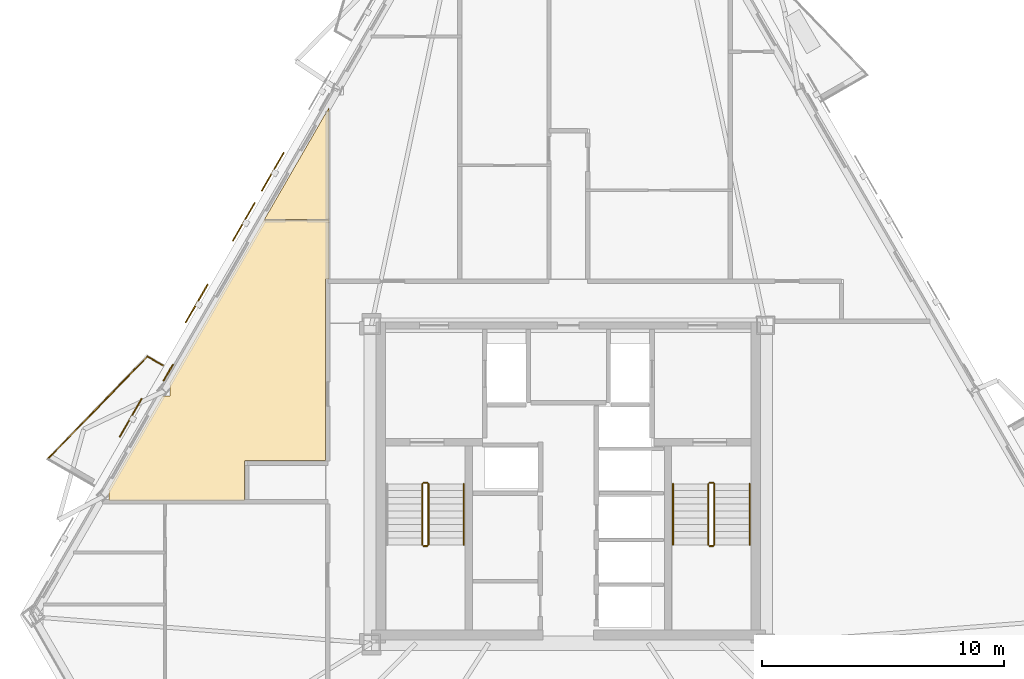
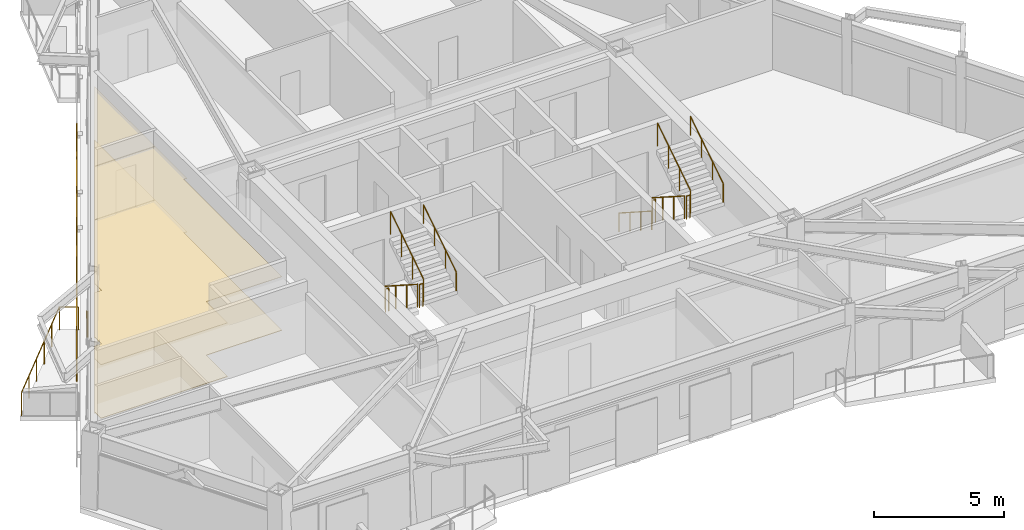
# One storey, part 8 of 9: 13 railings, 5 coverings, 4 shading devices.
"""IFC4 building model written with IfcOpenShell, lengths in metres."""

from ifc_helpers import new_model, si_unit, direction, frame, origin, origin_2d, place, context, subcontext, project, spatial, polyline, rectangle, circle, outline, extrude, material, layer, layer_set, type_object, element, save


model = new_model("IFC4")

# Units and contexts
model_context = context("Model", 3, precision=1e-05, world=origin(), true_north=direction((0.0, 1.0)))
body_context = subcontext(model_context, "Body", "Model", "MODEL_VIEW")
ifc_project = project(units=[si_unit("LENGTHUNIT", "METRE"), si_unit("AREAUNIT", "SQUARE_METRE"), si_unit("VOLUMEUNIT", "CUBIC_METRE"), si_unit("PLANEANGLEUNIT", "RADIAN"), si_unit("MASSUNIT", "GRAM", prefix="KILO")], contexts=[model_context])

# Site, building, storey
site_placement = place(None, origin())
site = spatial("IfcSite", under=ifc_project, at=site_placement, CompositionType="ELEMENT")
building_placement = place(site_placement, origin())
building = spatial("IfcBuilding", under=site, at=building_placement, Name="Oramaril Tower", CompositionType="ELEMENT")
storey_placement = place(building_placement, frame((0.0, 0.0, 174.60009765625)))
storey = spatial("IfcBuildingStorey", under=building, at=storey_placement, Name="L46", CompositionType="ELEMENT", Elevation=174.60009765625)

# Coverings
ifc_material_1 = material(Name="Mineral Fibre Acoustic Ceiling")
ifc_layer_1 = layer(ifc_material_1, 0.02001953125)
ifc_layer_set_1 = layer_set([ifc_layer_1], Name="CVT-CEIL")
covering_type_1 = type_object("IfcCoveringType", Name="CVT-CEIL", PredefinedType="CEILING", material=ifc_layer_set_1)
covering_1_placement = place(storey_placement, frame((0.0, 0.0, 2.511962890625)))
element("IfcCovering", 1, at=covering_1_placement, inside=storey, type_object=covering_type_1, Name="L46 Acoustic Suspended Ceiling 14", PredefinedType="CEILING", context=body_context, shape_type="SweptSolid", body=[
    extrude(outline(polyline([(18.486572265625, 17.34814453125), (18.466064453125, 17.34814453125), (20.700439453125, 21.218017578125), (21.005859375, 21.218017578125), (21.005859375, 21.704345703125), (20.981201171875, 21.704345703125), (24.915283203125, 28.5185546875), (27.592041015625, 28.5185546875), (27.592041015625, 26.070068359375), (27.469970703125, 26.070068359375), (27.468017578125, 26.06982421875), (27.466064453125, 26.069580078125), (27.464111328125, 26.069091796875), (27.46240234375, 26.068603515625), (27.460693359375, 26.067626953125), (27.458984375, 26.066650390625), (27.457275390625, 26.0654296875), (27.455810546875, 26.064208984375), (27.45458984375, 26.062744140625), (27.453369140625, 26.06103515625), (27.452392578125, 26.059326171875), (27.451416015625, 26.0576171875), (27.450927734375, 26.055908203125), (27.450439453125, 26.053955078125), (27.4501953125, 26.052001953125), (27.449951171875, 26.050048828125), (27.449951171875, 24.239990234375), (27.4501953125, 24.238037109375), (27.450439453125, 24.236083984375), (27.450927734375, 24.234130859375), (27.451416015625, 24.232421875), (27.452392578125, 24.230712890625), (27.45263671875, 24.22998046875), (27.452392578125, 24.2294921875), (27.451416015625, 24.227783203125), (27.450927734375, 24.225830078125), (27.450439453125, 24.223876953125), (27.4501953125, 24.221923828125), (27.449951171875, 24.219970703125), (27.449951171875, 18.550048828125), (24.1201171875, 18.550048828125), (24.117919921875, 18.5498046875), (24.1162109375, 18.549560546875), (24.1142578125, 18.549072265625), (24.1123046875, 18.548583984375), (24.110595703125, 18.547607421875), (24.10888671875, 18.546630859375), (24.107421875, 18.54541015625), (24.10595703125, 18.544189453125), (24.1044921875, 18.542724609375), (24.103515625, 18.541015625), (24.102294921875, 18.539306640625), (24.1015625, 18.53759765625), (24.100830078125, 18.535888671875), (24.100341796875, 18.533935546875), (24.10009765625, 18.531982421875), (24.10009765625, 18.530029296875), (24.10009765625, 16.912109375), (20.767578125, 16.912109375), (20.765380859375, 16.911865234375), (20.763671875, 16.91162109375), (20.76171875, 16.9111328125), (20.759765625, 16.910400390625), (20.758056640625, 16.90966796875), (20.757568359375, 16.9091796875), (20.7568359375, 16.90966796875), (20.755126953125, 16.910400390625), (20.75341796875, 16.9111328125), (20.75146484375, 16.91162109375), (20.74951171875, 16.911865234375), (20.74755859375, 16.912109375), (18.486572265625, 16.912109375), (18.486572265625, 17.34814453125)])), origin(), (0.0, 0.0, 1.0), 0.02001953125),
])
covering_2_placement = place(storey_placement, frame((0.0, 0.0, 2.511962890625)))
element("IfcCovering", 2, at=covering_2_placement, inside=storey, type_object=covering_type_1, Name="L46 Acoustic Suspended Ceiling 15", PredefinedType="CEILING", context=body_context, shape_type="SweptSolid", body=[
    extrude(outline(polyline([(27.592041015625, 33.15478515625), (27.592041015625, 28.53857421875), (24.927001953125, 28.53857421875), (27.592041015625, 33.15478515625)])), origin(), (0.0, 0.0, 1.0), 0.02001953125),
])
ifc_material_2 = material(Name="Warm Cream Limestone", Category="masonry")
ifc_layer_2 = layer(ifc_material_2, 0.050048828125)
ifc_layer_set_2 = layer_set([ifc_layer_2], Name="CVT-CLD")
covering_type_2 = type_object("IfcCoveringType", Name="CVT-CLD", PredefinedType="CLADDING", material=ifc_layer_set_2)
covering_3_placement = place(storey_placement, frame((20.943359375, 22.191162109375, 0.0400390625), z_axis=(0.0, 0.0, 1.0), x_axis=(-0.5, -0.866025403784, 0.0)))
element("IfcCovering", 3, at=covering_3_placement, inside=storey, type_object=covering_type_2, Name="L46 Warm Cream Limestone Spandrel Cladding", PredefinedType="CLADDING", context=body_context, shape_type="SweptSolid", body=[
    extrude(rectangle(XDim=0.800048828125, YDim=0.050048828125, at=origin_2d()), origin(), (0.0, 0.0, 1.0), 0.679931640625),
])
ifc_material_3 = material(Name="Honed Quartzite Stone Flooring", Category="masonry")
ifc_layer_3 = layer(ifc_material_3, 0.02490234375)
ifc_layer_set_3 = layer_set([ifc_layer_3], Name="CVT-FLR")
covering_type_3 = type_object("IfcCoveringType", Name="CVT-FLR", PredefinedType="FLOORING", material=ifc_layer_set_3)
covering_4_placement = place(storey_placement, origin())
element("IfcCovering", 4, at=covering_4_placement, inside=storey, type_object=covering_type_3, Name="L46 Honed Stone Floor Finish 14", PredefinedType="FLOORING", context=body_context, shape_type="SweptSolid", body=[
    extrude(outline(polyline([(18.486572265625, 17.34814453125), (18.466064453125, 17.34814453125), (20.700439453125, 21.218017578125), (21.005859375, 21.218017578125), (21.005859375, 21.704345703125), (20.981201171875, 21.704345703125), (24.915283203125, 28.5185546875), (27.592041015625, 28.5185546875), (27.592041015625, 26.070068359375), (27.469970703125, 26.070068359375), (27.468017578125, 26.06982421875), (27.466064453125, 26.069580078125), (27.464111328125, 26.069091796875), (27.46240234375, 26.068603515625), (27.460693359375, 26.067626953125), (27.458984375, 26.066650390625), (27.457275390625, 26.0654296875), (27.455810546875, 26.064208984375), (27.45458984375, 26.062744140625), (27.453369140625, 26.06103515625), (27.452392578125, 26.059326171875), (27.451416015625, 26.0576171875), (27.450927734375, 26.055908203125), (27.450439453125, 26.053955078125), (27.4501953125, 26.052001953125), (27.449951171875, 26.050048828125), (27.449951171875, 24.239990234375), (27.4501953125, 24.238037109375), (27.450439453125, 24.236083984375), (27.450927734375, 24.234130859375), (27.451416015625, 24.232421875), (27.452392578125, 24.230712890625), (27.45263671875, 24.22998046875), (27.452392578125, 24.2294921875), (27.451416015625, 24.227783203125), (27.450927734375, 24.225830078125), (27.450439453125, 24.223876953125), (27.4501953125, 24.221923828125), (27.449951171875, 24.219970703125), (27.449951171875, 18.550048828125), (24.1201171875, 18.550048828125), (24.117919921875, 18.5498046875), (24.1162109375, 18.549560546875), (24.1142578125, 18.549072265625), (24.1123046875, 18.548583984375), (24.110595703125, 18.547607421875), (24.10888671875, 18.546630859375), (24.107421875, 18.54541015625), (24.10595703125, 18.544189453125), (24.1044921875, 18.542724609375), (24.103515625, 18.541015625), (24.102294921875, 18.539306640625), (24.1015625, 18.53759765625), (24.100830078125, 18.535888671875), (24.100341796875, 18.533935546875), (24.10009765625, 18.531982421875), (24.10009765625, 18.530029296875), (24.10009765625, 16.912109375), (20.767578125, 16.912109375), (20.765380859375, 16.911865234375), (20.763671875, 16.91162109375), (20.76171875, 16.9111328125), (20.759765625, 16.910400390625), (20.758056640625, 16.90966796875), (20.757568359375, 16.9091796875), (20.7568359375, 16.90966796875), (20.755126953125, 16.910400390625), (20.75341796875, 16.9111328125), (20.75146484375, 16.91162109375), (20.74951171875, 16.911865234375), (20.74755859375, 16.912109375), (18.486572265625, 16.912109375), (18.486572265625, 17.34814453125)])), origin(), (0.0, 0.0, 1.0), 0.02490234375),
])
covering_5_placement = place(storey_placement, origin())
element("IfcCovering", 5, at=covering_5_placement, inside=storey, type_object=covering_type_3, Name="L46 Honed Stone Floor Finish 15", PredefinedType="FLOORING", context=body_context, shape_type="SweptSolid", body=[
    extrude(outline(polyline([(27.592041015625, 33.15478515625), (27.592041015625, 28.53857421875), (24.927001953125, 28.53857421875), (27.592041015625, 33.15478515625)])), origin(), (0.0, 0.0, 1.0), 0.02490234375),
])

# Railings
ifc_material_4 = material(Name="Stainless Steel 316L", Category="steel")
railing_type_1 = type_object("IfcRailingType", Name="RLT-GRD", PredefinedType="GUARDRAIL", material=ifc_material_4)
railing_1_placement = place(storey_placement, frame((15.961669921875, 18.62646484375, 0.0)))
element("IfcRailing", 6, at=railing_1_placement, inside=storey, type_object=railing_type_1, Name="L46 Balcony Guardrail L46-BAL-NW2.2", PredefinedType="GUARDRAIL", context=body_context, shape_type="SweptSolid", body=[
    extrude(circle(Radius=0.02392578125, at=origin_2d()), frame((0.0, 0.0, 1.076171875), z_axis=(0.697186915353, 0.716889395277, 0.0), x_axis=(-0.716889395277, 0.697186915353, 0.0)), (0.0, 0.0, 1.0), 5.91064453125),
    extrude(circle(Radius=0.02099609375, at=origin_2d()), origin(), (0.0, 0.0, 1.0), 1.052001953125),
    extrude(circle(Radius=0.02099609375, at=origin_2d()), frame((0.82421875, 0.847412109375, 0.0)), (0.0, 0.0, 1.0), 1.052001953125),
    extrude(circle(Radius=0.02099609375, at=origin_2d()), frame((1.6484375, 1.69482421875, 0.0)), (0.0, 0.0, 1.0), 1.052001953125),
    extrude(circle(Radius=0.02099609375, at=origin_2d()), frame((2.472412109375, 2.54248046875, 0.0)), (0.0, 0.0, 1.0), 1.052001953125),
    extrude(circle(Radius=0.02099609375, at=origin_2d()), frame((3.296630859375, 3.389892578125, 0.0)), (0.0, 0.0, 1.0), 1.052001953125),
    extrude(circle(Radius=0.02099609375, at=origin_2d()), frame((4.120849609375, 4.2373046875, 0.0)), (0.0, 0.0, 1.0), 1.052001953125),
])
railing_2_placement = place(storey_placement, frame((20.08251953125, 22.86376953125, 0.0)))
element("IfcRailing", 7, at=railing_2_placement, inside=storey, type_object=railing_type_1, Name="L46 Balcony Guardrail L46-BAL-NW2.3", PredefinedType="GUARDRAIL", context=body_context, shape_type="SweptSolid", body=[
    extrude(circle(Radius=0.02392578125, at=origin_2d()), frame((0.0, 0.0, 1.076171875), z_axis=(0.865884080729, -0.500244698863, 0.0), x_axis=(0.500244698863, 0.865884080729, 0.0)), (0.0, 0.0, 1.0), 0.741943359375),
    extrude(circle(Radius=0.02099609375, at=origin_2d()), origin(), (0.0, 0.0, 1.0), 1.052001953125),
    extrude(circle(Radius=0.02099609375, at=origin_2d()), frame((0.642333984375, -0.37109375, 0.0)), (0.0, 0.0, 1.0), 1.052001953125),
])
railing_3_placement = place(storey_placement, frame((31.4599609375, 17.590087890625, 0.179931640625)))
element("IfcRailing", 8, at=railing_3_placement, inside=storey, type_object=railing_type_1, Name="L46 ST-1 stair guard 1", PredefinedType="GUARDRAIL", context=body_context, shape_type="SweptSolid", body=[
    extrude(circle(Radius=0.02392578125, at=origin_2d()), frame((0.0, 0.0, 1.076171875), z_axis=(0.0, -0.841199657755, 0.540724639528), x_axis=(1.0, 0.0, 0.0)), (0.0, 0.0, 1.0), 2.995849609375),
    extrude(circle(Radius=0.02099609375, at=origin_2d()), origin(), (0.0, 0.0, 1.0), 1.052001953125),
    extrude(circle(Radius=0.02099609375, at=origin_2d()), frame((0.0, -0.840087890625, 0.5400390625)), (0.0, 0.0, 1.0), 1.052001953125),
    extrude(circle(Radius=0.02099609375, at=origin_2d()), frame((0.0, -1.679931640625, 1.079833984375)), (0.0, 0.0, 1.0), 1.052001953125),
    extrude(circle(Radius=0.02099609375, at=origin_2d()), frame((0.0, -2.52001953125, 1.619873046875)), (0.0, 0.0, 1.0), 1.052001953125),
])
railing_4_placement = place(storey_placement, frame((31.510009765625, 15.02001953125, 1.7998046875)))
element("IfcRailing", 9, at=railing_4_placement, inside=storey, type_object=railing_type_1, Name="L46 ST-1 stair guard 2", PredefinedType="GUARDRAIL", context=body_context, shape_type="SweptSolid", body=[
    extrude(circle(Radius=0.02392578125, at=origin_2d()), frame((0.0, 0.0, 1.076171875), z_axis=(1.0, 0.0, 0.0), x_axis=(0.0, 1.0, 0.0)), (0.0, 0.0, 1.0), 0.14990234375),
    extrude(circle(Radius=0.02099609375, at=origin_2d()), origin(), (0.0, 0.0, 1.0), 1.052001953125),
    extrude(circle(Radius=0.02099609375, at=origin_2d()), frame((0.14990234375, 0.0, 0.0)), (0.0, 0.0, 1.0), 1.052001953125),
])
railing_5_placement = place(storey_placement, frame((31.7099609375, 15.070068359375, 1.97998046875)))
element("IfcRailing", 10, at=railing_5_placement, inside=storey, type_object=railing_type_1, Name="L46 ST-1 stair guard 3", PredefinedType="GUARDRAIL", context=body_context, shape_type="SweptSolid", body=[
    extrude(circle(Radius=0.02392578125, at=origin_2d()), frame((0.0, 0.0, 1.076171875), z_axis=(0.0, 0.841199657755, 0.540724639528), x_axis=(-1.0, 0.0, 0.0)), (0.0, 0.0, 1.0), 2.995849609375),
    extrude(circle(Radius=0.02099609375, at=origin_2d()), origin(), (0.0, 0.0, 1.0), 1.052001953125),
    extrude(circle(Radius=0.02099609375, at=origin_2d()), frame((0.0, 0.840087890625, 0.5400390625)), (0.0, 0.0, 1.0), 1.052001953125),
    extrude(circle(Radius=0.02099609375, at=origin_2d()), frame((0.0, 1.679931640625, 1.079833984375)), (0.0, 0.0, 1.0), 1.052001953125),
    extrude(circle(Radius=0.02099609375, at=origin_2d()), frame((0.0, 2.52001953125, 1.619873046875)), (0.0, 0.0, 1.0), 1.052001953125),
])
railing_6_placement = place(storey_placement, frame((31.510009765625, 17.639892578125, 0.0)))
element("IfcRailing", 11, at=railing_6_placement, inside=storey, type_object=railing_type_1, Name="L46 ST-1 stair guard 4", PredefinedType="GUARDRAIL", context=body_context, shape_type="SweptSolid", body=[
    extrude(circle(Radius=0.02392578125, at=origin_2d()), frame((0.0, 0.0, 1.076171875), z_axis=(1.0, 0.0, 0.0), x_axis=(0.0, 1.0, 0.0)), (0.0, 0.0, 1.0), 0.14990234375),
    extrude(circle(Radius=0.02099609375, at=origin_2d()), origin(), (0.0, 0.0, 1.0), 1.052001953125),
    extrude(circle(Radius=0.02099609375, at=origin_2d()), frame((0.14990234375, 0.0, 0.0)), (0.0, 0.0, 1.0), 1.052001953125),
])
railing_7_placement = place(storey_placement, frame((43.2900390625, 17.590087890625, 0.179931640625)))
element("IfcRailing", 12, at=railing_7_placement, inside=storey, type_object=railing_type_1, Name="L46 ST-2 stair guard 1", PredefinedType="GUARDRAIL", context=body_context, shape_type="SweptSolid", body=[
    extrude(circle(Radius=0.02392578125, at=origin_2d()), frame((0.0, 0.0, 1.076171875), z_axis=(0.0, -0.841199657755, 0.540724639528), x_axis=(1.0, 0.0, 0.0)), (0.0, 0.0, 1.0), 2.995849609375),
    extrude(circle(Radius=0.02099609375, at=origin_2d()), origin(), (0.0, 0.0, 1.0), 1.052001953125),
    extrude(circle(Radius=0.02099609375, at=origin_2d()), frame((0.0, -0.840087890625, 0.5400390625)), (0.0, 0.0, 1.0), 1.052001953125),
    extrude(circle(Radius=0.02099609375, at=origin_2d()), frame((0.0, -1.679931640625, 1.079833984375)), (0.0, 0.0, 1.0), 1.052001953125),
    extrude(circle(Radius=0.02099609375, at=origin_2d()), frame((0.0, -2.52001953125, 1.619873046875)), (0.0, 0.0, 1.0), 1.052001953125),
])
railing_8_placement = place(storey_placement, frame((43.340087890625, 15.02001953125, 1.7998046875)))
element("IfcRailing", 13, at=railing_8_placement, inside=storey, type_object=railing_type_1, Name="L46 ST-2 stair guard 2", PredefinedType="GUARDRAIL", context=body_context, shape_type="SweptSolid", body=[
    extrude(circle(Radius=0.02392578125, at=origin_2d()), frame((0.0, 0.0, 1.076171875), z_axis=(1.0, 0.0, 0.0), x_axis=(0.0, 1.0, 0.0)), (0.0, 0.0, 1.0), 0.14990234375),
    extrude(circle(Radius=0.02099609375, at=origin_2d()), origin(), (0.0, 0.0, 1.0), 1.052001953125),
    extrude(circle(Radius=0.02099609375, at=origin_2d()), frame((0.14990234375, 0.0, 0.0)), (0.0, 0.0, 1.0), 1.052001953125),
])
railing_9_placement = place(storey_placement, frame((43.5400390625, 15.070068359375, 1.97998046875)))
element("IfcRailing", 14, at=railing_9_placement, inside=storey, type_object=railing_type_1, Name="L46 ST-2 stair guard 3", PredefinedType="GUARDRAIL", context=body_context, shape_type="SweptSolid", body=[
    extrude(circle(Radius=0.02392578125, at=origin_2d()), frame((0.0, 0.0, 1.076171875), z_axis=(0.0, 0.841199657755, 0.540724639528), x_axis=(-1.0, 0.0, 0.0)), (0.0, 0.0, 1.0), 2.995849609375),
    extrude(circle(Radius=0.02099609375, at=origin_2d()), origin(), (0.0, 0.0, 1.0), 1.052001953125),
    extrude(circle(Radius=0.02099609375, at=origin_2d()), frame((0.0, 0.840087890625, 0.5400390625)), (0.0, 0.0, 1.0), 1.052001953125),
    extrude(circle(Radius=0.02099609375, at=origin_2d()), frame((0.0, 1.679931640625, 1.079833984375)), (0.0, 0.0, 1.0), 1.052001953125),
    extrude(circle(Radius=0.02099609375, at=origin_2d()), frame((0.0, 2.52001953125, 1.619873046875)), (0.0, 0.0, 1.0), 1.052001953125),
])
railing_10_placement = place(storey_placement, frame((43.340087890625, 17.639892578125, 0.0)))
element("IfcRailing", 15, at=railing_10_placement, inside=storey, type_object=railing_type_1, Name="L46 ST-2 stair guard 4", PredefinedType="GUARDRAIL", context=body_context, shape_type="SweptSolid", body=[
    extrude(circle(Radius=0.02392578125, at=origin_2d()), frame((0.0, 0.0, 1.076171875), z_axis=(1.0, 0.0, 0.0), x_axis=(0.0, 1.0, 0.0)), (0.0, 0.0, 1.0), 0.14990234375),
    extrude(circle(Radius=0.02099609375, at=origin_2d()), origin(), (0.0, 0.0, 1.0), 1.052001953125),
    extrude(circle(Radius=0.02099609375, at=origin_2d()), frame((0.14990234375, 0.0, 0.0)), (0.0, 0.0, 1.0), 1.052001953125),
])
ifc_material_5 = material(Name="Stainless Steel 316L", Category="steel")
railing_type_2 = type_object("IfcRailingType", Name="RLT-HND", PredefinedType="HANDRAIL", material=ifc_material_5)
railing_11_placement = place(storey_placement, frame((33.169921875, 15.070068359375, 1.97998046875)))
element("IfcRailing", 16, at=railing_11_placement, inside=storey, type_object=railing_type_2, Name="L46 ST-1 stair handrail 2", PredefinedType="HANDRAIL", context=body_context, shape_type="SweptSolid", body=[
    extrude(circle(Radius=0.02392578125, at=origin_2d()), frame((0.0, 0.0, 0.8759765625), z_axis=(0.0, 0.841199657755, 0.540724639528), x_axis=(-1.0, 0.0, 0.0)), (0.0, 0.0, 1.0), 2.995849609375),
    extrude(circle(Radius=0.02099609375, at=origin_2d()), origin(), (0.0, 0.0, 1.0), 0.851806640625),
    extrude(circle(Radius=0.02099609375, at=origin_2d()), frame((0.0, 0.840087890625, 0.5400390625)), (0.0, 0.0, 1.0), 0.851806640625),
    extrude(circle(Radius=0.02099609375, at=origin_2d()), frame((0.0, 1.679931640625, 1.079833984375)), (0.0, 0.0, 1.0), 0.851806640625),
    extrude(circle(Radius=0.02099609375, at=origin_2d()), frame((0.0, 2.52001953125, 1.619873046875)), (0.0, 0.0, 1.0), 0.851806640625),
])
railing_12_placement = place(storey_placement, frame((41.830078125, 17.590087890625, 0.179931640625)))
element("IfcRailing", 17, at=railing_12_placement, inside=storey, type_object=railing_type_2, Name="L46 ST-2 stair handrail 1", PredefinedType="HANDRAIL", context=body_context, shape_type="SweptSolid", body=[
    extrude(circle(Radius=0.02392578125, at=origin_2d()), frame((0.0, 0.0, 0.8759765625), z_axis=(0.0, -0.841199657755, 0.540724639528), x_axis=(1.0, 0.0, 0.0)), (0.0, 0.0, 1.0), 2.995849609375),
    extrude(circle(Radius=0.02099609375, at=origin_2d()), origin(), (0.0, 0.0, 1.0), 0.851806640625),
    extrude(circle(Radius=0.02099609375, at=origin_2d()), frame((0.0, -0.840087890625, 0.5400390625)), (0.0, 0.0, 1.0), 0.851806640625),
    extrude(circle(Radius=0.02099609375, at=origin_2d()), frame((0.0, -1.679931640625, 1.079833984375)), (0.0, 0.0, 1.0), 0.851806640625),
    extrude(circle(Radius=0.02099609375, at=origin_2d()), frame((0.0, -2.52001953125, 1.619873046875)), (0.0, 0.0, 1.0), 0.851806640625),
])
railing_13_placement = place(storey_placement, frame((45.0, 15.070068359375, 1.97998046875)))
element("IfcRailing", 18, at=railing_13_placement, inside=storey, type_object=railing_type_2, Name="L46 ST-2 stair handrail 2", PredefinedType="HANDRAIL", context=body_context, shape_type="SweptSolid", body=[
    extrude(circle(Radius=0.02392578125, at=origin_2d()), frame((0.0, 0.0, 0.8759765625), z_axis=(0.0, 0.841199657755, 0.540724639528), x_axis=(-1.0, 0.0, 0.0)), (0.0, 0.0, 1.0), 2.995849609375),
    extrude(circle(Radius=0.02099609375, at=origin_2d()), origin(), (0.0, 0.0, 1.0), 0.851806640625),
    extrude(circle(Radius=0.02099609375, at=origin_2d()), frame((0.0, 0.840087890625, 0.5400390625)), (0.0, 0.0, 1.0), 0.851806640625),
    extrude(circle(Radius=0.02099609375, at=origin_2d()), frame((0.0, 1.679931640625, 1.079833984375)), (0.0, 0.0, 1.0), 0.851806640625),
    extrude(circle(Radius=0.02099609375, at=origin_2d()), frame((0.0, 2.52001953125, 1.619873046875)), (0.0, 0.0, 1.0), 0.851806640625),
])

# Shading devices
for number, where, z_axis, x_axis, name in (
    (19, (24.072265625, 28.434326171875, -0.020263671875), (0.0, 0.0, 1.0), (-0.5, -0.866025403784, 0.0), "L46 Perforated Ceramic Solar Screen"),
    (20, (22.122314453125, 25.056884765625, -0.020263671875), (0.0, 0.0, 1.0), (-0.5, -0.866025403784, 0.0), "L46 Perforated Ceramic Solar Screen"),
    (21, (19.389892578125, 20.324462890625, -0.020263671875), (0.0, 0.0, 1.0), (-0.5, -0.866025403784, 0.0), "L46 Perforated Ceramic Solar Screen"),
    (22, (25.268310546875, 30.506103515625, -0.020263671875), (0.0, 0.0, 1.0), (-0.5, -0.866025403784, 0.0), "L46 Perforated Ceramic Solar Screen"),
):
    element("IfcShadingDevice", number, at=place(storey_placement, frame(where, z_axis=z_axis, x_axis=x_axis)), inside=storey, Name=name, ObjectType="SCREEN", PredefinedType="USERDEFINED", context=body_context, shape_type="SweptSolid", body=[
        extrude(rectangle(XDim=1.8330078125, YDim=0.050048828125, at=origin_2d()), origin(), (0.0, 0.0, 1.0), 2.60009765625),
    ])

save(model, "model.ifc")
